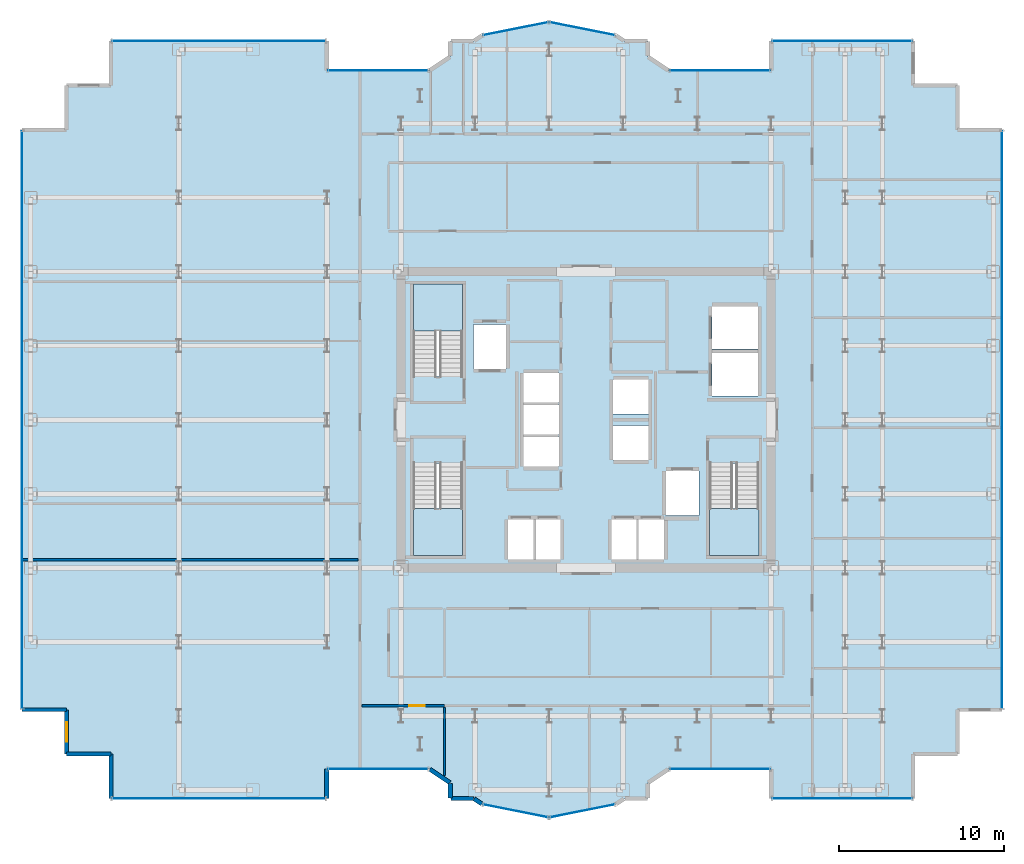
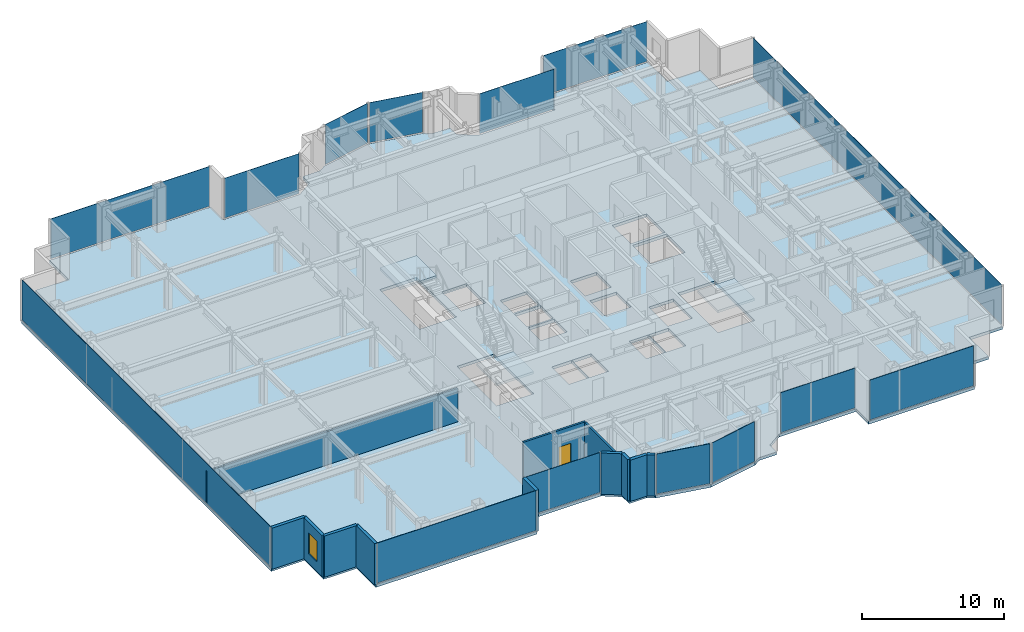
# One storey, part 16 of 23: 14 plates, 12 walls, 4 slabs, 1 door, 1 window, 2 openings, 17 elements without a shape of their own.
"""IFC4 building model written with IfcOpenShell, lengths in metres."""

from ifc_helpers import new_model, si_unit, direction, frame, frame_2d, origin, origin_2d, place, context, subcontext, project, spatial, polyline, rectangle, outline, extrude, source, transform, mapped, material, layer, layer_set, type_object, element, fill, aggregate, save


model = new_model("IFC4")

# Units and contexts
model_context = context("Model", 3, precision=1e-05, world=origin(), true_north=direction((0.0, 1.0)))
body_context = subcontext(model_context, "Body", "Model", "MODEL_VIEW")
ifc_project = project(units=[si_unit("LENGTHUNIT", "METRE"), si_unit("AREAUNIT", "SQUARE_METRE"), si_unit("VOLUMEUNIT", "CUBIC_METRE"), si_unit("PLANEANGLEUNIT", "RADIAN"), si_unit("MASSUNIT", "GRAM", prefix="KILO")], contexts=[model_context])

# Site, building, storey
site_placement = place(None, origin())
site = spatial("IfcSite", under=ifc_project, at=site_placement, CompositionType="ELEMENT")
building_placement = place(site_placement, origin())
building = spatial("IfcBuilding", under=site, at=building_placement, Name="Nefas-Gora Pilgrimage Tower", CompositionType="ELEMENT")
storey_placement = place(building_placement, frame((0.0, 0.0, 167.800048828125)))
storey = spatial("IfcBuildingStorey", under=building, at=storey_placement, Name="L41", CompositionType="ELEMENT", Elevation=167.800048828125)

# Slab
ifc_material_1 = material(Name="Concrete C40/50", Category="concrete")
ifc_layer_1 = layer(ifc_material_1, 0.25)
ifc_layer_set_1 = layer_set([ifc_layer_1], Name="Concrete C40/50")
slab_type_1 = type_object("IfcSlabType", Name="SLB-TWR-250", PredefinedType="FLOOR", material=ifc_layer_set_1)
slab_1_placement = place(storey_placement, frame((0.0, 0.0, -0.25)))
element("IfcSlab", 1, at=slab_1_placement, inside=storey, type_object=slab_type_1, Name="L41 Structural Floor Slab", PredefinedType="FLOOR", context=body_context, shape_type="SweptSolid", body=[
    extrude(outline(polyline([(5.01806640625, -21.219970703125), (11.25, -21.219970703125), (11.25, -23.02001953125), (19.8701171875, -23.02001953125), (19.8701171875, -20.320068359375), (22.570068359375, -20.320068359375), (22.570068359375, -17.6201171875), (25.27001953125, -17.6201171875), (25.27001953125, 17.6201171875), (22.570068359375, 17.6201171875), (22.570068359375, 20.320068359375), (19.8701171875, 20.320068359375), (19.8701171875, 23.02001953125), (11.25, 23.02001953125), (11.25, 21.219970703125), (5.01806640625, 21.219970703125), (3.75, 22.0673828125), (3.75, 23.02001953125), (2.32421875, 23.02001953125), (1.807373046875, 23.365234375), (-2.25, 24.17236328125), (-6.307373046875, 23.365234375), (-6.82421875, 23.02001953125), (-8.25, 23.02001953125), (-8.25, 22.0673828125), (-9.51806640625, 21.219970703125), (-15.75, 21.219970703125), (-15.75, 23.02001953125), (-28.8701171875, 23.02001953125), (-28.8701171875, 20.320068359375), (-31.570068359375, 20.320068359375), (-31.570068359375, 17.6201171875), (-34.27001953125, 17.6201171875), (-34.27001953125, -17.6201171875), (-31.570068359375, -17.6201171875), (-31.570068359375, -20.320068359375), (-28.8701171875, -20.320068359375), (-28.8701171875, -23.02001953125), (-15.75, -23.02001953125), (-15.75, -21.219970703125), (-9.51806640625, -21.219970703125), (-8.25, -22.0673828125), (-8.25, -23.02001953125), (-6.82421875, -23.02001953125), (-6.307373046875, -23.365234375), (-2.25, -24.17236328125), (1.807373046875, -23.365234375), (2.32421875, -23.02001953125), (3.75, -23.02001953125), (3.75, -22.0673828125), (5.01806640625, -21.219970703125)]), holes=[polyline([(-10.5, 2.639892578125), (-10.5, 8.25), (-7.5, 8.25), (-7.5, 2.639892578125), (-10.5, 2.639892578125)]), polyline([(10.5, -2.639892578125), (10.5, -8.25), (7.5, -8.25), (7.5, -2.639892578125), (10.5, -2.639892578125)]), polyline([(-7.5, -2.639892578125), (-7.5, -8.25), (-10.5, -8.25), (-10.5, -2.639892578125), (-7.5, -2.639892578125)]), polyline([(-6.85009765625, 5.800048828125), (-4.85009765625, 5.800048828125), (-4.85009765625, 3.10009765625), (-6.85009765625, 3.10009765625), (-6.85009765625, 5.800048828125)]), polyline([(4.85009765625, -3.10009765625), (6.85009765625, -3.10009765625), (6.85009765625, -5.800048828125), (4.85009765625, -5.800048828125), (4.85009765625, -3.10009765625)]), polyline([(7.64990234375, 4.050048828125), (10.449951171875, 4.050048828125), (10.449951171875, 1.449951171875), (7.64990234375, 1.449951171875), (7.64990234375, 4.050048828125)]), polyline([(7.64990234375, 6.89990234375), (10.449951171875, 6.89990234375), (10.449951171875, 4.300048828125), (7.64990234375, 4.300048828125), (7.64990234375, 6.89990234375)]), polyline([(-4.75, -6.050048828125), (-3.14990234375, -6.050048828125), (-3.14990234375, -8.5), (-4.75, -8.5), (-4.75, -6.050048828125)]), polyline([(-3.10009765625, -6.050048828125), (-1.550048828125, -6.050048828125), (-1.550048828125, -8.5), (-3.10009765625, -8.5), (-3.10009765625, -6.050048828125)]), polyline([(1.550048828125, -6.050048828125), (3.10009765625, -6.050048828125), (3.10009765625, -8.5), (1.550048828125, -8.5), (1.550048828125, -6.050048828125)]), polyline([(3.14990234375, -6.050048828125), (4.75, -6.050048828125), (4.75, -8.5), (3.14990234375, -8.5), (3.14990234375, -6.050048828125)]), polyline([(-3.800048828125, -1.050048828125), (-1.64990234375, -1.050048828125), (-1.64990234375, -2.85009765625), (-3.800048828125, -2.85009765625), (-3.800048828125, -1.050048828125)]), polyline([(-3.800048828125, 0.89990234375), (-1.64990234375, 0.89990234375), (-1.64990234375, -0.89990234375), (-3.800048828125, -0.89990234375), (-3.800048828125, 0.89990234375)]), polyline([(-3.800048828125, 2.85009765625), (-1.64990234375, 2.85009765625), (-1.64990234375, 1.050048828125), (-3.800048828125, 1.050048828125), (-3.800048828125, 2.85009765625)]), polyline([(1.64990234375, -0.35009765625), (3.800048828125, -0.35009765625), (3.800048828125, -2.449951171875), (1.64990234375, -2.449951171875), (1.64990234375, -0.35009765625)]), polyline([(1.64990234375, 2.449951171875), (3.800048828125, 2.449951171875), (3.800048828125, 0.35009765625), (1.64990234375, 0.35009765625), (1.64990234375, 2.449951171875)])]), origin(), (0.0, 0.0, 1.0), 0.25),
])

# Stair, slab
ifc_material_2 = material(Name="Concrete C45/55", Category="concrete")
stair_type = type_object("IfcStairType", Name="STR-1400-R1727", PredefinedType="HALF_TURN_STAIR", material=ifc_material_2)
stair_1_placement = place(storey_placement, origin())
stair_1 = element("IfcStair", 2, at=stair_1_placement, inside=storey, type_object=stair_type, Name="L41 Pressurised Tower Exit Stair ST-01", PredefinedType="HALF_TURN_STAIR")
ifc_layer_2 = layer(ifc_material_1, 0.199951171875)
ifc_layer_set_2 = layer_set([ifc_layer_2], Name="Concrete C40/50")
slab_type_2 = type_object("IfcSlabType", Name="STR-LAND-200", PredefinedType="LANDING", material=ifc_layer_set_2)
slab_2_placement = place(storey_placement, frame((0.0, 0.0, 1.699951171875)))
slab_2 = element("IfcSlab", 3, at=slab_2_placement, type_object=slab_type_2, Name="ST-01 landing 1", PredefinedType="LANDING", context=body_context, shape_type="SweptSolid", body=[
    extrude(outline(polyline([(-7.5, 5.39990234375), (-7.5, 8.25), (-10.5, 8.25), (-10.5, 5.39990234375), (-7.5, 5.39990234375)])), origin(), (0.0, 0.0, 1.0), 0.199951171875),
])
aggregate(stair_1, [slab_2])

stair_2_placement = place(storey_placement, origin())
stair_2 = element("IfcStair", 4, at=stair_2_placement, inside=storey, type_object=stair_type, Name="L41 Pressurised Tower Exit Stair ST-02", PredefinedType="HALF_TURN_STAIR")
slab_3_placement = place(storey_placement, frame((0.0, 0.0, 1.699951171875)))
slab_3 = element("IfcSlab", 5, at=slab_3_placement, type_object=slab_type_2, Name="ST-02 landing 1", PredefinedType="LANDING", context=body_context, shape_type="SweptSolid", body=[
    extrude(outline(polyline([(7.5, -5.39990234375), (7.5, -8.25), (10.5, -8.25), (10.5, -5.39990234375), (7.5, -5.39990234375)])), origin(), (0.0, 0.0, 1.0), 0.199951171875),
])
aggregate(stair_2, [slab_3])

stair_3_placement = place(storey_placement, origin())
stair_3 = element("IfcStair", 6, at=stair_3_placement, inside=storey, type_object=stair_type, Name="L41 Pressurised Tower Exit Stair ST-03", PredefinedType="HALF_TURN_STAIR")
slab_4_placement = place(storey_placement, frame((0.0, 0.0, 1.699951171875)))
slab_4 = element("IfcSlab", 7, at=slab_4_placement, type_object=slab_type_2, Name="ST-03 landing 1", PredefinedType="LANDING", context=body_context, shape_type="SweptSolid", body=[
    extrude(outline(polyline([(-10.5, -5.39990234375), (-10.5, -8.25), (-7.5, -8.25), (-7.5, -5.39990234375), (-10.5, -5.39990234375)])), origin(), (0.0, 0.0, 1.0), 0.199951171875),
])
aggregate(stair_3, [slab_4])

# Curtain wall, plate
ifc_material_3 = material(Name="Dark ceramic-fritted solar-control aluminium-glass curtain wall", Category="aluminium")
ifc_layer_3 = layer(ifc_material_3, 0.219970703125)
ifc_layer_set_3 = layer_set([ifc_layer_3], Name="Dark ceramic-fritted solar-control aluminium-glass curtain wall")
curtain_wall_type_1 = type_object("IfcCurtainWallType", Name="CW-SYS-5", PredefinedType="NOTDEFINED", material=ifc_layer_set_3)
curtain_wall_1_placement = place(storey_placement, origin())
curtain_wall_1 = element("IfcCurtainWall", 8, at=curtain_wall_1_placement, inside=storey, type_object=curtain_wall_type_1, Name="L41 Unitised Curtain Wall CW5", PredefinedType="NOTDEFINED")
ifc_material_4 = material(Name="Dark ceramic-printed low-e insulated glass", Category="glass")
ifc_layer_4 = layer(ifc_material_4, 0.028076171875)
ifc_layer_set_4 = layer_set([ifc_layer_4], Name="Dark ceramic-printed low-e insulated glass")
plate_type_1 = type_object("IfcPlateType", Name="CWP-PNL-5", PredefinedType="CURTAIN_PANEL", material=ifc_layer_set_4)
shared_shape_1 = source(origin(), body_context, "Body", "SweptSolid", [
    extrude(rectangle(XDim=6.052001953125, YDim=0.028076171875, at=origin_2d()), origin(), (0.0, 0.0, 1.0), 3.43994140625),
])
plate_1_placement = place(storey_placement, frame((8.134033203125, -21.219970703125, 0.10009765625), z_axis=(0.0, 0.0, 1.0), x_axis=(1.0, 0.0, 0.0)))
plate_1 = element("IfcPlate", 9, at=plate_1_placement, type_object=plate_type_1, Name="CW5 Ceramic-Fritted Glazing Panel 1", PredefinedType="CURTAIN_PANEL", context=body_context, shape_type="MappedRepresentation", body=[
    mapped(shared_shape_1, transform((0.0, 0.0, 0.0), x_axis=(1.0, 0.0, 0.0), y_axis=(0.0, 1.0, 0.0), z_axis=(0.0, 0.0, 1.0), scale=1.0)),
])
aggregate(curtain_wall_1, [plate_1])

curtain_wall_2_placement = place(storey_placement, origin())
curtain_wall_2 = element("IfcCurtainWall", 10, at=curtain_wall_2_placement, inside=storey, type_object=curtain_wall_type_1, Name="L41 Unitised Curtain Wall CW5", PredefinedType="NOTDEFINED")
plate_2_placement = place(storey_placement, frame((8.134033203125, 21.219970703125, 0.10009765625), z_axis=(0.0, 0.0, 1.0), x_axis=(-1.0, 0.0, 0.0)))
plate_2 = element("IfcPlate", 11, at=plate_2_placement, type_object=plate_type_1, Name="CW5 Ceramic-Fritted Glazing Panel 1", PredefinedType="CURTAIN_PANEL", context=body_context, shape_type="MappedRepresentation", body=[
    mapped(shared_shape_1, transform((0.0, 0.0, 0.0), x_axis=(1.0, 0.0, 0.0), y_axis=(0.0, 1.0, 0.0), z_axis=(0.0, 0.0, 1.0), scale=1.0)),
])
aggregate(curtain_wall_2, [plate_2])

curtain_wall_3_placement = place(storey_placement, origin())
curtain_wall_3 = element("IfcCurtainWall", 12, at=curtain_wall_3_placement, inside=storey, type_object=curtain_wall_type_1, Name="L41 Unitised Curtain Wall CW5", PredefinedType="NOTDEFINED")
plate_3_placement = place(storey_placement, frame((-12.634033203125, 21.219970703125, 0.10009765625), z_axis=(0.0, 0.0, 1.0), x_axis=(-1.0, 0.0, 0.0)))
plate_3 = element("IfcPlate", 13, at=plate_3_placement, type_object=plate_type_1, Name="CW5 Ceramic-Fritted Glazing Panel 1", PredefinedType="CURTAIN_PANEL", context=body_context, shape_type="MappedRepresentation", body=[
    mapped(shared_shape_1, transform((0.0, 0.0, 0.0), x_axis=(1.0, 0.0, 0.0), y_axis=(0.0, 1.0, 0.0), z_axis=(0.0, 0.0, 1.0), scale=1.0)),
])
aggregate(curtain_wall_3, [plate_3])

curtain_wall_4_placement = place(storey_placement, origin())
curtain_wall_4 = element("IfcCurtainWall", 14, at=curtain_wall_4_placement, inside=storey, type_object=curtain_wall_type_1, Name="L41 Unitised Curtain Wall CW5", PredefinedType="NOTDEFINED")
plate_4_placement = place(storey_placement, frame((-12.634033203125, -21.219970703125, 0.10009765625), z_axis=(0.0, 0.0, 1.0), x_axis=(1.0, 0.0, 0.0)))
plate_4 = element("IfcPlate", 15, at=plate_4_placement, type_object=plate_type_1, Name="CW5 Ceramic-Fritted Glazing Panel 1", PredefinedType="CURTAIN_PANEL", context=body_context, shape_type="MappedRepresentation", body=[
    mapped(shared_shape_1, transform((0.0, 0.0, 0.0), x_axis=(1.0, 0.0, 0.0), y_axis=(0.0, 1.0, 0.0), z_axis=(0.0, 0.0, 1.0), scale=1.0)),
])
aggregate(curtain_wall_4, [plate_4])

curtain_wall_5_placement = place(storey_placement, origin())
curtain_wall_5 = element("IfcCurtainWall", 16, at=curtain_wall_5_placement, inside=storey, type_object=curtain_wall_type_1, Name="L41 Unitised Curtain Wall CW5", PredefinedType="NOTDEFINED")
shared_shape_2 = source(origin(), body_context, "Body", "SweptSolid", [
    extrude(rectangle(XDim=3.956787109375, YDim=0.028076171875, at=origin_2d()), origin(), (0.0, 0.0, 1.0), 3.43994140625),
])
plate_5_placement = place(storey_placement, frame((-0.22119140625, 23.768798828125, 0.10009765625), z_axis=(0.0, 0.0, 1.0), x_axis=(-0.980782896852, 0.195102304554, 0.0)))
plate_5 = element("IfcPlate", 17, at=plate_5_placement, type_object=plate_type_1, Name="CW5 Ceramic-Fritted Glazing Panel 1", PredefinedType="CURTAIN_PANEL", context=body_context, shape_type="MappedRepresentation", body=[
    mapped(shared_shape_2, transform((0.0, 0.0, 0.0), x_axis=(1.0, 0.0, 0.0), y_axis=(0.0, 1.0, 0.0), z_axis=(0.0, 0.0, 1.0), scale=1.0)),
])
aggregate(curtain_wall_5, [plate_5])

curtain_wall_6_placement = place(storey_placement, origin())
curtain_wall_6 = element("IfcCurtainWall", 18, at=curtain_wall_6_placement, inside=storey, type_object=curtain_wall_type_1, Name="L41 Unitised Curtain Wall CW5", PredefinedType="NOTDEFINED")
plate_6_placement = place(storey_placement, frame((-4.278564453125, 23.768798828125, 0.10009765625), z_axis=(0.0, 0.0, 1.0), x_axis=(-0.980782896852, -0.195102304554, 0.0)))
plate_6 = element("IfcPlate", 19, at=plate_6_placement, type_object=plate_type_1, Name="CW5 Ceramic-Fritted Glazing Panel 1", PredefinedType="CURTAIN_PANEL", context=body_context, shape_type="MappedRepresentation", body=[
    mapped(shared_shape_2, transform((0.0, 0.0, 0.0), x_axis=(1.0, 0.0, 0.0), y_axis=(0.0, 1.0, 0.0), z_axis=(0.0, 0.0, 1.0), scale=1.0)),
])
aggregate(curtain_wall_6, [plate_6])

curtain_wall_7_placement = place(storey_placement, origin())
curtain_wall_7 = element("IfcCurtainWall", 20, at=curtain_wall_7_placement, inside=storey, type_object=curtain_wall_type_1, Name="L41 Unitised Curtain Wall CW5", PredefinedType="NOTDEFINED")
plate_7_placement = place(storey_placement, frame((-4.278564453125, -23.768798828125, 0.10009765625), z_axis=(0.0, 0.0, 1.0), x_axis=(0.980782896852, -0.195102304554, 0.0)))
plate_7 = element("IfcPlate", 21, at=plate_7_placement, type_object=plate_type_1, Name="CW5 Ceramic-Fritted Glazing Panel 1", PredefinedType="CURTAIN_PANEL", context=body_context, shape_type="MappedRepresentation", body=[
    mapped(shared_shape_2, transform((0.0, 0.0, 0.0), x_axis=(1.0, 0.0, 0.0), y_axis=(0.0, 1.0, 0.0), z_axis=(0.0, 0.0, 1.0), scale=1.0)),
])
aggregate(curtain_wall_7, [plate_7])

curtain_wall_8_placement = place(storey_placement, origin())
curtain_wall_8 = element("IfcCurtainWall", 22, at=curtain_wall_8_placement, inside=storey, type_object=curtain_wall_type_1, Name="L41 Unitised Curtain Wall CW5", PredefinedType="NOTDEFINED")
plate_8_placement = place(storey_placement, frame((-0.221435546875, -23.768798828125, 0.10009765625), z_axis=(0.0, 0.0, 1.0), x_axis=(0.980782896852, 0.195102304554, 0.0)))
plate_8 = element("IfcPlate", 23, at=plate_8_placement, type_object=plate_type_1, Name="CW5 Ceramic-Fritted Glazing Panel 1", PredefinedType="CURTAIN_PANEL", context=body_context, shape_type="MappedRepresentation", body=[
    mapped(shared_shape_2, transform((0.0, 0.0, 0.0), x_axis=(1.0, 0.0, 0.0), y_axis=(0.0, 1.0, 0.0), z_axis=(0.0, 0.0, 1.0), scale=1.0)),
])
aggregate(curtain_wall_8, [plate_8])

ifc_layer_5 = layer(ifc_material_3, 0.219970703125)
ifc_layer_set_5 = layer_set([ifc_layer_5], Name="Dark ceramic-fritted solar-control aluminium-glass curtain wall")
curtain_wall_type_2 = type_object("IfcCurtainWallType", Name="CW-SYS-3", PredefinedType="NOTDEFINED", material=ifc_layer_set_5)
curtain_wall_9_placement = place(storey_placement, origin())
curtain_wall_9 = element("IfcCurtainWall", 24, at=curtain_wall_9_placement, inside=storey, type_object=curtain_wall_type_2, Name="L41 Unitised Curtain Wall CW3", PredefinedType="NOTDEFINED")
ifc_layer_6 = layer(ifc_material_4, 0.033935546875)
ifc_layer_set_6 = layer_set([ifc_layer_6], Name="Dark ceramic-printed low-e insulated glass")
plate_type_2 = type_object("IfcPlateType", Name="CWP-PNL-3", PredefinedType="CURTAIN_PANEL", material=ifc_layer_set_6)
shared_shape_3 = source(origin(), body_context, "Body", "SweptSolid", [
    extrude(rectangle(XDim=8.43994140625, YDim=0.033935546875, at=origin_2d()), origin(), (0.0, 0.0, 1.0), 3.43994140625),
])
plate_9_placement = place(storey_placement, frame((15.56005859375, -23.02001953125, 0.10009765625), z_axis=(0.0, 0.0, 1.0), x_axis=(1.0, 0.0, 0.0)))
plate_9 = element("IfcPlate", 25, at=plate_9_placement, type_object=plate_type_2, Name="CW3 Ceramic-Fritted Glazing Panel 1", PredefinedType="CURTAIN_PANEL", context=body_context, shape_type="MappedRepresentation", body=[
    mapped(shared_shape_3, transform((0.0, 0.0, 0.0), x_axis=(1.0, 0.0, 0.0), y_axis=(0.0, 1.0, 0.0), z_axis=(0.0, 0.0, 1.0), scale=1.0)),
])
aggregate(curtain_wall_9, [plate_9])

curtain_wall_10_placement = place(storey_placement, origin())
curtain_wall_10 = element("IfcCurtainWall", 26, at=curtain_wall_10_placement, inside=storey, type_object=curtain_wall_type_2, Name="L41 Unitised Curtain Wall CW3", PredefinedType="NOTDEFINED")
plate_10_placement = place(storey_placement, frame((15.56005859375, 23.02001953125, 0.10009765625), z_axis=(0.0, 0.0, 1.0), x_axis=(-1.0, 0.0, 0.0)))
plate_10 = element("IfcPlate", 27, at=plate_10_placement, type_object=plate_type_2, Name="CW3 Ceramic-Fritted Glazing Panel 1", PredefinedType="CURTAIN_PANEL", context=body_context, shape_type="MappedRepresentation", body=[
    mapped(shared_shape_3, transform((0.0, 0.0, 0.0), x_axis=(1.0, 0.0, 0.0), y_axis=(0.0, 1.0, 0.0), z_axis=(0.0, 0.0, 1.0), scale=1.0)),
])
aggregate(curtain_wall_10, [plate_10])

curtain_wall_11_placement = place(storey_placement, origin())
curtain_wall_11 = element("IfcCurtainWall", 28, at=curtain_wall_11_placement, inside=storey, type_object=curtain_wall_type_2, Name="L41 Unitised Curtain Wall CW3", PredefinedType="NOTDEFINED")
shared_shape_4 = source(origin(), body_context, "Body", "SweptSolid", [
    extrude(rectangle(XDim=12.93994140625, YDim=0.033935546875, at=origin_2d()), origin(), (0.0, 0.0, 1.0), 3.43994140625),
])
plate_11_placement = place(storey_placement, frame((-22.31005859375, 23.02001953125, 0.10009765625), z_axis=(0.0, 0.0, 1.0), x_axis=(-1.0, 0.0, 0.0)))
plate_11 = element("IfcPlate", 29, at=plate_11_placement, type_object=plate_type_2, Name="CW3 Ceramic-Fritted Glazing Panel 1", PredefinedType="CURTAIN_PANEL", context=body_context, shape_type="MappedRepresentation", body=[
    mapped(shared_shape_4, transform((0.0, 0.0, 0.0), x_axis=(1.0, 0.0, 0.0), y_axis=(0.0, 1.0, 0.0), z_axis=(0.0, 0.0, 1.0), scale=1.0)),
])
aggregate(curtain_wall_11, [plate_11])

curtain_wall_12_placement = place(storey_placement, origin())
curtain_wall_12 = element("IfcCurtainWall", 30, at=curtain_wall_12_placement, inside=storey, type_object=curtain_wall_type_2, Name="L41 Unitised Curtain Wall CW3", PredefinedType="NOTDEFINED")
plate_12_placement = place(storey_placement, frame((-22.31005859375, -23.02001953125, 0.10009765625), z_axis=(0.0, 0.0, 1.0), x_axis=(1.0, 0.0, 0.0)))
plate_12 = element("IfcPlate", 31, at=plate_12_placement, type_object=plate_type_2, Name="CW3 Ceramic-Fritted Glazing Panel 1", PredefinedType="CURTAIN_PANEL", context=body_context, shape_type="MappedRepresentation", body=[
    mapped(shared_shape_4, transform((0.0, 0.0, 0.0), x_axis=(1.0, 0.0, 0.0), y_axis=(0.0, 1.0, 0.0), z_axis=(0.0, 0.0, 1.0), scale=1.0)),
])
aggregate(curtain_wall_12, [plate_12])

curtain_wall_13_placement = place(storey_placement, origin())
curtain_wall_13 = element("IfcCurtainWall", 32, at=curtain_wall_13_placement, inside=storey, type_object=curtain_wall_type_2, Name="L41 Unitised Curtain Wall CW3", PredefinedType="NOTDEFINED")
shared_shape_5 = source(origin(), body_context, "Body", "SweptSolid", [
    extrude(rectangle(XDim=35.06005859375, YDim=0.033935546875, at=origin_2d()), origin(), (0.0, 0.0, 1.0), 3.43994140625),
])
plate_13_placement = place(storey_placement, frame((25.27001953125, 0.0, 0.10009765625), z_axis=(0.0, 0.0, 1.0), x_axis=(0.0, 1.0, 0.0)))
plate_13 = element("IfcPlate", 33, at=plate_13_placement, type_object=plate_type_2, Name="CW3 Ceramic-Fritted Glazing Panel 1", PredefinedType="CURTAIN_PANEL", context=body_context, shape_type="MappedRepresentation", body=[
    mapped(shared_shape_5, transform((0.0, 0.0, 0.0), x_axis=(1.0, 0.0, 0.0), y_axis=(0.0, 1.0, 0.0), z_axis=(0.0, 0.0, 1.0), scale=1.0)),
])
aggregate(curtain_wall_13, [plate_13])

curtain_wall_14_placement = place(storey_placement, origin())
curtain_wall_14 = element("IfcCurtainWall", 34, at=curtain_wall_14_placement, inside=storey, type_object=curtain_wall_type_2, Name="L41 Unitised Curtain Wall CW3", PredefinedType="NOTDEFINED")
plate_14_placement = place(storey_placement, frame((-34.27001953125, 0.0, 0.10009765625), z_axis=(0.0, 0.0, 1.0), x_axis=(0.0, -1.0, 0.0)))
plate_14 = element("IfcPlate", 35, at=plate_14_placement, type_object=plate_type_2, Name="CW3 Ceramic-Fritted Glazing Panel 1", PredefinedType="CURTAIN_PANEL", context=body_context, shape_type="MappedRepresentation", body=[
    mapped(shared_shape_5, transform((0.0, 0.0, 0.0), x_axis=(1.0, 0.0, 0.0), y_axis=(0.0, 1.0, 0.0), z_axis=(0.0, 0.0, 1.0), scale=1.0)),
])
aggregate(curtain_wall_14, [plate_14])

# Walls
ifc_material_5 = material(Name="Precast concrete C40/50", Category="concrete")
ifc_layer_7 = layer(ifc_material_5, 0.260009765625)
ifc_layer_set_7 = layer_set([ifc_layer_7], Name="Precast concrete C40/50")
wall_type_1 = type_object("IfcWallType", Name="EW-PORTAL-260", PredefinedType="SOLIDWALL", material=ifc_layer_set_7)
shared_shape_6 = source(origin(), body_context, "Body", "SweptSolid", [
    extrude(rectangle(XDim=1.800048828125, YDim=0.260009765625, at=frame_2d((0.89990234375, 0.0))), origin(), (0.0, 0.0, 1.0), 3.550048828125),
])
wall_1_placement = place(storey_placement, frame((-15.75, -23.02001953125, 0.0), z_axis=(0.0, 0.0, 1.0), x_axis=(0.0, 1.0, 0.0)))
element("IfcWall", 36, at=wall_1_placement, inside=storey, type_object=wall_type_1, Name="L41 Lobe Shoulder Precast Spandrel Pier 28", PredefinedType="SOLIDWALL", context=body_context, shape_type="MappedRepresentation", body=[
    mapped(shared_shape_6, transform((0.0, 0.0, 0.0), x_axis=(1.0, 0.0, 0.0), y_axis=(0.0, 1.0, 0.0), z_axis=(0.0, 0.0, 1.0), scale=1.0)),
])
ifc_material_6 = material(Name="Precast concrete C45/55", Category="concrete")
ifc_layer_8 = layer(ifc_material_6, 0.239990234375)
ifc_layer_set_8 = layer_set([ifc_layer_8], Name="Precast concrete C45/55")
wall_type_2 = type_object("IfcWallType", Name="EW-SERR-240", PredefinedType="SHEAR", material=ifc_layer_set_8)
shared_shape_7 = source(origin(), body_context, "Body", "SweptSolid", [
    extrude(rectangle(XDim=2.699951171875, YDim=0.239990234375, at=frame_2d((1.35009765625, 0.0))), origin(), (0.0, 0.0, 1.0), 3.550048828125),
])
wall_2_placement = place(storey_placement, frame((-34.27001953125, -17.6201171875, 0.0), z_axis=(0.0, 0.0, 1.0), x_axis=(1.0, 0.0, 0.0)))
element("IfcWall", 37, at=wall_2_placement, inside=storey, type_object=wall_type_2, Name="L41 Serrated Corner Shear Pier Wall 24", PredefinedType="SHEAR", context=body_context, shape_type="MappedRepresentation", body=[
    mapped(shared_shape_7, transform((0.0, 0.0, 0.0), x_axis=(1.0, 0.0, 0.0), y_axis=(0.0, 1.0, 0.0), z_axis=(0.0, 0.0, 1.0), scale=1.0)),
])

# Wall, opening, window
wall_3_placement = place(storey_placement, frame((-31.570068359375, -17.6201171875, 0.0), z_axis=(0.0, 0.0, 1.0), x_axis=(0.0, -1.0, 0.0)))
wall_3 = element("IfcWall", 38, at=wall_3_placement, inside=storey, type_object=wall_type_2, Name="L41 Serrated Corner Shear Pier Wall 25", PredefinedType="SHEAR", context=body_context, shape_type="MappedRepresentation", body=[
    mapped(shared_shape_7, transform((0.0, 0.0, 0.0), x_axis=(1.0, 0.0, 0.0), y_axis=(0.0, 1.0, 0.0), z_axis=(0.0, 0.0, 1.0), scale=1.0)),
])
opening_1_placement = place(wall_3_placement, frame((0.75, 0.0, 0.85009765625)))
opening_1 = element("IfcOpeningElement", 39, at=opening_1_placement, cuts=wall_3, Name="Opening W-V1", PredefinedType="OPENING", context=body_context, shape_type="SweptSolid", body=[
    extrude(rectangle(XDim=1.199951171875, YDim=1.800048828125, at=frame_2d((0.60009765625, 0.89990234375))), frame((0.0, 0.1298828125, 0.0), z_axis=(0.0, -1.0, 0.0), x_axis=(1.0, 0.0, 0.0)), (0.0, 0.0, 1.0), 0.260009765625),
])
ifc_material_7 = material(Name="Dark ceramic-fritted operable aluminium-glass window", Category="aluminium")
window_type = type_object("IfcWindowType", Name="WIN-VENT-1200x1800", PartitioningType="SINGLE_PANEL", PredefinedType="WINDOW", material=ifc_material_7)
shared_shape_8 = source(origin(), body_context, "Body", "SweptSolid", [
    extrude(rectangle(XDim=1.199951171875, YDim=1.800048828125, at=frame_2d((0.60009765625, 0.89990234375))), frame((0.0, 0.030029296875, 0.0), z_axis=(0.0, -1.0, 0.0), x_axis=(1.0, 0.0, 0.0)), (0.0, 0.0, 1.0), 0.06005859375),
])
window_placement = place(opening_1_placement, origin())
window = element("IfcWindow", 40, at=window_placement, inside=storey, type_object=window_type, Name="L41 Operable Parallel-Outswing Window 25", OverallHeight=1.800048828125, OverallWidth=1.199951171875, PartitioningType="SINGLE_PANEL", PredefinedType="WINDOW", context=body_context, shape_type="MappedRepresentation", body=[
    mapped(shared_shape_8, transform((0.0, 0.0, 0.0), x_axis=(1.0, 0.0, 0.0), y_axis=(0.0, 1.0, 0.0), z_axis=(0.0, 0.0, 1.0), scale=1.0)),
])
fill(opening_1, window)

# Walls
for number, where, z_axis, x_axis, name in (
    (41, (-31.570068359375, -20.320068359375, 0.0), (0.0, 0.0, 1.0), (1.0, 0.0, 0.0), "L41 Serrated Corner Shear Pier Wall 26"),
    (42, (-28.8701171875, -20.320068359375, 0.0), (0.0, 0.0, 1.0), (0.0, -1.0, 0.0), "L41 Serrated Corner Shear Pier Wall 27"),
):
    element("IfcWall", number, at=place(storey_placement, frame(where, z_axis=z_axis, x_axis=x_axis)), inside=storey, type_object=wall_type_2, Name=name, PredefinedType="SHEAR", context=body_context, shape_type="MappedRepresentation", body=[
        mapped(shared_shape_7, transform((0.0, 0.0, 0.0), x_axis=(1.0, 0.0, 0.0), y_axis=(0.0, 1.0, 0.0), z_axis=(0.0, 0.0, 1.0), scale=1.0)),
    ])
shared_shape_9 = source(origin(), body_context, "Body", "SweptSolid", [
    extrude(rectangle(XDim=1.468994140625, YDim=0.260009765625, at=frame_2d((0.734375, 0.0))), origin(), (0.0, 0.0, 1.0), 3.550048828125),
])
wall_4_placement = place(storey_placement, frame((-9.49462890625, -21.235595703125, 0.0), z_axis=(0.0, 0.0, 1.0), x_axis=(0.831461760506, -0.555581983884, 0.0)))
element("IfcWall", 43, at=wall_4_placement, inside=storey, type_object=wall_type_1, Name="L41 Lobe Shoulder Precast Spandrel Pier 29", PredefinedType="SOLIDWALL", context=body_context, shape_type="MappedRepresentation", body=[
    mapped(shared_shape_9, transform((0.0, 0.0, 0.0), x_axis=(1.0, 0.0, 0.0), y_axis=(0.0, 1.0, 0.0), z_axis=(0.0, 0.0, 1.0), scale=1.0)),
])
shared_shape_10 = source(origin(), body_context, "Body", "SweptSolid", [
    extrude(rectangle(XDim=0.896728515625, YDim=0.260009765625, at=frame_2d((0.4482421875, 0.0))), origin(), (0.0, 0.0, 1.0), 3.550048828125),
])
wall_5_placement = place(storey_placement, frame((-8.25, -22.09521484375, 0.0), z_axis=(0.0, 0.0, 1.0), x_axis=(0.0, -1.0, 0.0)))
element("IfcWall", 44, at=wall_5_placement, inside=storey, type_object=wall_type_1, Name="L41 Lobe Shoulder Precast Spandrel Pier 30", PredefinedType="SOLIDWALL", context=body_context, shape_type="MappedRepresentation", body=[
    mapped(shared_shape_10, transform((0.0, 0.0, 0.0), x_axis=(1.0, 0.0, 0.0), y_axis=(0.0, 1.0, 0.0), z_axis=(0.0, 0.0, 1.0), scale=1.0)),
])
shared_shape_11 = source(origin(), body_context, "Body", "SweptSolid", [
    extrude(rectangle(XDim=1.369873046875, YDim=0.260009765625, at=frame_2d((0.68505859375, 0.0))), origin(), (0.0, 0.0, 1.0), 3.550048828125),
])
wall_6_placement = place(storey_placement, frame((-8.221923828125, -23.02001953125, 0.0), z_axis=(0.0, 0.0, 1.0), x_axis=(1.0, 0.0, 0.0)))
element("IfcWall", 45, at=wall_6_placement, inside=storey, type_object=wall_type_1, Name="L41 Lobe Shoulder Precast Spandrel Pier 31", PredefinedType="SOLIDWALL", context=body_context, shape_type="MappedRepresentation", body=[
    mapped(shared_shape_11, transform((0.0, 0.0, 0.0), x_axis=(1.0, 0.0, 0.0), y_axis=(0.0, 1.0, 0.0), z_axis=(0.0, 0.0, 1.0), scale=1.0)),
])
shared_shape_12 = source(origin(), body_context, "Body", "SweptSolid", [
    extrude(rectangle(XDim=0.5654296875, YDim=0.260009765625, at=frame_2d((0.28271484375, 0.0))), origin(), (0.0, 0.0, 1.0), 3.550048828125),
])
wall_7_placement = place(storey_placement, frame((-6.80078125, -23.03564453125, 0.0), z_axis=(0.0, 0.0, 1.0), x_axis=(0.831651492666, -0.555297933317, 0.0)))
element("IfcWall", 46, at=wall_7_placement, inside=storey, type_object=wall_type_1, Name="L41 Lobe Shoulder Precast Spandrel Pier 32", PredefinedType="SOLIDWALL", context=body_context, shape_type="MappedRepresentation", body=[
    mapped(shared_shape_12, transform((0.0, 0.0, 0.0), x_axis=(1.0, 0.0, 0.0), y_axis=(0.0, 1.0, 0.0), z_axis=(0.0, 0.0, 1.0), scale=1.0)),
])

# Wall, opening, door
ifc_material_8 = material(Name="Gypsum acoustic stud partition")
ifc_layer_9 = layer(ifc_material_8, 0.159912109375)
ifc_layer_set_9 = layer_set([ifc_layer_9], Name="Gypsum acoustic stud partition")
wall_type_3 = type_object("IfcWallType", Name="IW-CORR-160", PredefinedType="PARTITIONING", material=ifc_layer_set_9)
shared_shape_13 = source(origin(), body_context, "Body", "SweptSolid", [
    extrude(rectangle(XDim=5.025146484375, YDim=0.159912109375, at=frame_2d((2.5126953125, 0.0))), origin(), (0.0, 0.0, 1.0), 3.534912109375),
])
wall_8_placement = place(storey_placement, frame((-13.6201171875, -17.3701171875, 0.0), z_axis=(0.0, 0.0, 1.0), x_axis=(1.0, 0.0, 0.0)))
wall_8 = element("IfcWall", 47, at=wall_8_placement, inside=storey, type_object=wall_type_3, Name="L41 Pilgrim Contemplative Lounge Partition Wall 68", PredefinedType="PARTITIONING", context=body_context, shape_type="MappedRepresentation", body=[
    mapped(shared_shape_13, transform((0.0, 0.0, 0.0), x_axis=(1.0, 0.0, 0.0), y_axis=(0.0, 1.0, 0.0), z_axis=(0.0, 0.0, 1.0), scale=1.0)),
])
opening_2_placement = place(wall_8_placement, frame((2.881103515625, 0.0, 0.0)))
opening_2 = element("IfcOpeningElement", 48, at=opening_2_placement, cuts=wall_8, Name="Opening ID-GR1", PredefinedType="OPENING", context=body_context, shape_type="SweptSolid", body=[
    extrude(rectangle(XDim=0.949951171875, YDim=2.10009765625, at=frame_2d((0.47509765625, 1.050048828125))), frame((0.0, 0.08984375, 0.0), z_axis=(0.0, -1.0, 0.0), x_axis=(1.0, 0.0, 0.0)), (0.0, 0.0, 1.0), 0.179931640625),
])
ifc_material_9 = material(Name="Solid core oak fire-rated guest entrance door")
door_type = type_object("IfcDoorType", Name="DR-INT-GUEST-950", OperationType="NOTDEFINED", PredefinedType="DOOR", material=ifc_material_9)
shared_shape_14 = source(origin(), body_context, "Body", "SweptSolid", [
    extrude(rectangle(XDim=0.949951171875, YDim=2.10009765625, at=frame_2d((0.47509765625, 1.050048828125))), frame((0.0, 0.02490234375, 0.0), z_axis=(0.0, -1.0, 0.0), x_axis=(1.0, 0.0, 0.0)), (0.0, 0.0, 1.0), 0.050048828125),
])
door_placement = place(opening_2_placement, origin())
door = element("IfcDoor", 49, at=door_placement, inside=storey, type_object=door_type, Name="L41 Pilgrim Contemplative Lounge Door 31", OperationType="SINGLE_SWING_RIGHT", OverallHeight=2.10009765625, OverallWidth=0.949951171875, PredefinedType="DOOR", context=body_context, shape_type="MappedRepresentation", body=[
    mapped(shared_shape_14, transform((0.0, 0.0, 0.0), x_axis=(1.0, 0.0, 0.0), y_axis=(0.0, 1.0, 0.0), z_axis=(0.0, 0.0, 1.0), scale=1.0)),
])
fill(opening_2, door)

# Walls
ifc_material_10 = material(Name="Gypsum twin-stud partition")
ifc_layer_10 = layer(ifc_material_10, 0.139892578125)
ifc_layer_set_10 = layer_set([ifc_layer_10], Name="Gypsum twin-stud partition")
wall_type_4 = type_object("IfcWallType", Name="IW-UNIT-140", PredefinedType="PARTITIONING", material=ifc_layer_set_10)
shared_shape_15 = source(origin(), body_context, "Body", "SweptSolid", [
    extrude(rectangle(XDim=20.429931640625, YDim=0.139892578125, at=frame_2d((10.21484375, 0.0))), origin(), (0.0, 0.0, 1.0), 2.875),
])
wall_9_placement = place(storey_placement, frame((-34.2900390625, -8.5048828125, 0.0), z_axis=(0.0, 0.0, 1.0), x_axis=(1.0, 0.0, 0.0)))
element("IfcWall", 50, at=wall_9_placement, inside=storey, type_object=wall_type_4, Name="L41 Pilgrim Tea and Beverage Pantry Partition Wall 33", PredefinedType="PARTITIONING", context=body_context, shape_type="MappedRepresentation", body=[
    mapped(shared_shape_15, transform((0.0, 0.0, 0.0), x_axis=(1.0, 0.0, 0.0), y_axis=(0.0, 1.0, 0.0), z_axis=(0.0, 0.0, 1.0), scale=1.0)),
])
shared_shape_16 = source(origin(), body_context, "Body", "SweptSolid", [
    extrude(rectangle(XDim=4.137939453125, YDim=0.139892578125, at=frame_2d((2.06884765625, 0.0))), origin(), (0.0, 0.0, 1.0), 3.534912109375),
])
wall_10_placement = place(storey_placement, frame((-8.60498046875, -21.6279296875, 0.0), z_axis=(0.0, 0.0, 1.0), x_axis=(0.0, 1.0, 0.0)))
element("IfcWall", 51, at=wall_10_placement, inside=storey, type_object=wall_type_4, Name="L41 Pilgrim Contemplative Lounge Partition Wall 69", PredefinedType="PARTITIONING", context=body_context, shape_type="MappedRepresentation", body=[
    mapped(shared_shape_16, transform((0.0, 0.0, 0.0), x_axis=(1.0, 0.0, 0.0), y_axis=(0.0, 1.0, 0.0), z_axis=(0.0, 0.0, 1.0), scale=1.0)),
])

save(model, "model.ifc")
